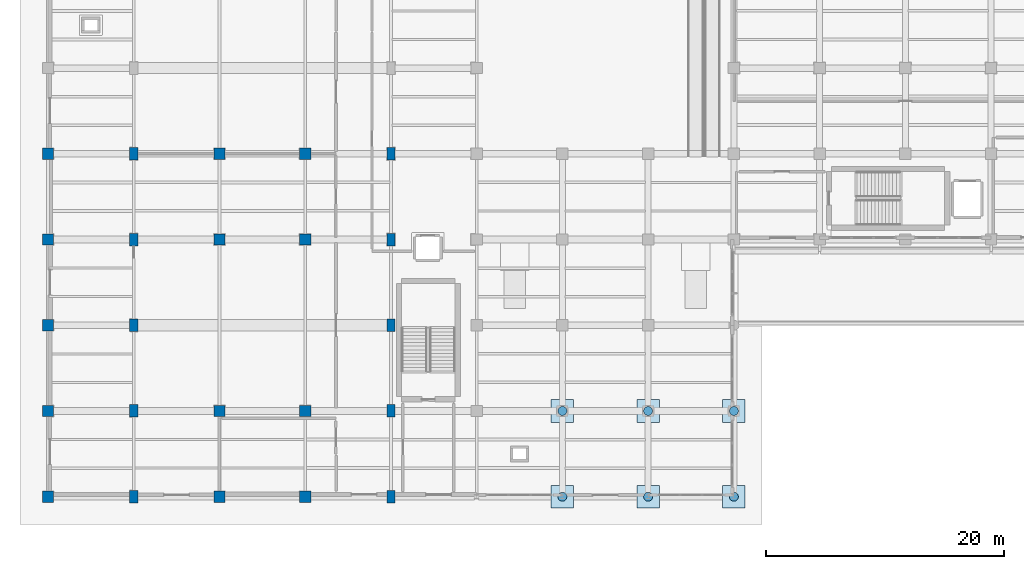
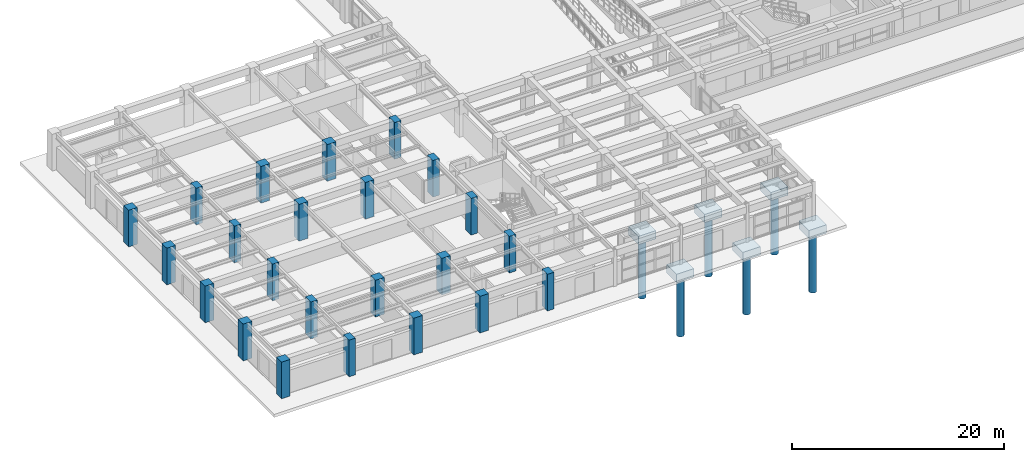
# One storey, part 1 of 64: 23 columns, 6 footings, 6 piles.
"""IFC4 building model written with IfcOpenShell, lengths in metres."""

from ifc_helpers import new_model, si_unit, direction, frame, origin, origin_2d, place, context, subcontext, project, spatial, rectangle, circle, extrude, material, material_profile, profile_set, type_object, element, save


model = new_model("IFC4")

# Units and contexts
model_context = context("Model", 3, precision=1e-05, world=origin(), true_north=direction((0.0, 1.0)))
body_context = subcontext(model_context, "Body", "Model", "MODEL_VIEW")
ifc_project = project(units=[si_unit("LENGTHUNIT", "METRE"), si_unit("AREAUNIT", "SQUARE_METRE"), si_unit("VOLUMEUNIT", "CUBIC_METRE"), si_unit("PLANEANGLEUNIT", "RADIAN"), si_unit("MASSUNIT", "GRAM", prefix="KILO")], contexts=[model_context])

# Site, building, storey
site_placement = place(None, origin())
site = spatial("IfcSite", under=ifc_project, at=site_placement, CompositionType="ELEMENT")
building_placement = place(site_placement, origin())
building = spatial("IfcBuilding", under=site, at=building_placement, Name="Solenvale Faculty of Natural Sciences", CompositionType="ELEMENT")
storey_placement = place(building_placement, origin())
storey = spatial("IfcBuildingStorey", under=building, at=storey_placement, Name="L00", CompositionType="ELEMENT", Elevation=0.0)

# Footings
ifc_material_1 = material(Name="Concrete 40 MPa", Category="concrete")
footing_type = type_object("IfcFootingType", Name="FT-CAP-1900x1900x950", PredefinedType="PILE_CAP", material=ifc_material_1)
for number, where, z_axis, x_axis, name in (
    (1, (43.199951171875, 0.0, -1.2998046875), (0.0, 0.0, 1.0), (1.0, 0.0, 0.0), "L00 Pile Cap 1"),
    (2, (50.39990234375, 0.0, -1.2998046875), (0.0, 0.0, 1.0), (1.0, 0.0, 0.0), "L00 Pile Cap 2"),
    (3, (57.60009765625, 0.0, -1.2998046875), (0.0, 0.0, 1.0), (1.0, 0.0, 0.0), "L00 Pile Cap 3"),
    (4, (43.199951171875, 7.199951171875, -1.2998046875), (0.0, 0.0, 1.0), (1.0, 0.0, 0.0), "L00 Pile Cap 4"),
    (5, (50.39990234375, 7.199951171875, -1.2998046875), (0.0, 0.0, 1.0), (1.0, 0.0, 0.0), "L00 Pile Cap 5"),
    (6, (57.60009765625, 7.199951171875, -1.2998046875), (0.0, 0.0, 1.0), (1.0, 0.0, 0.0), "L00 Pile Cap 6"),
):
    element("IfcFooting", number, at=place(storey_placement, frame(where, z_axis=z_axis, x_axis=x_axis)), inside=storey, type_object=footing_type, Name=name, PredefinedType="PILE_CAP", context=body_context, shape_type="SweptSolid", body=[
        extrude(rectangle(XDim=1.89990234375, YDim=1.89990234375, at=origin_2d()), origin(), (0.0, 0.0, 1.0), 0.949951171875),
    ])

# Piles
ifc_material_profile_1 = material_profile(ifc_material_1, circle(Radius=0.375, at=origin_2d()), Name="PILE-D750")
ifc_profile_set_1 = profile_set([ifc_material_profile_1], Name="Concrete 40 MPa")
pile_type = type_object("IfcPileType", Name="PL-BOR-750", PredefinedType="BORED", material=ifc_profile_set_1)
for number, where, z_axis, x_axis, name in (
    (7, (43.199951171875, 0.0, -1.199951171875), (0.0, 0.0, -1.0), (1.0, 0.0, 0.0), "L00 Bored Pile 327"),
    (8, (50.39990234375, 0.0, -1.199951171875), (0.0, 0.0, -1.0), (1.0, 0.0, 0.0), "L00 Bored Pile 328"),
    (9, (57.60009765625, 0.0, -1.199951171875), (0.0, 0.0, -1.0), (1.0, 0.0, 0.0), "L00 Bored Pile 329"),
    (10, (43.199951171875, 7.199951171875, -1.199951171875), (0.0, 0.0, -1.0), (1.0, 0.0, 0.0), "L00 Bored Pile 330"),
    (11, (50.39990234375, 7.199951171875, -1.199951171875), (0.0, 0.0, -1.0), (1.0, 0.0, 0.0), "L00 Bored Pile 331"),
    (12, (57.60009765625, 7.199951171875, -1.199951171875), (0.0, 0.0, -1.0), (1.0, 0.0, 0.0), "L00 Bored Pile 332"),
):
    element("IfcPile", number, at=place(storey_placement, frame(where, z_axis=z_axis, x_axis=x_axis)), inside=storey, type_object=pile_type, Name=name, PredefinedType="BORED", context=body_context, shape_type="SweptSolid", body=[
        extrude(circle(Radius=0.375, at=origin_2d()), origin(), (0.0, 0.0, 1.0), 7.0),
    ])

# Columns
ifc_material_2 = material(Name="Concrete 50 MPa", Category="concrete")
ifc_material_profile_2 = material_profile(ifc_material_2, rectangle(XDim=0.699951171875, YDim=1.050048828125, at=origin_2d()), Name="RC-COL-700x1050")
ifc_profile_set_2 = profile_set([ifc_material_profile_2], Name="Concrete 50 MPa")
column_type_1 = type_object("IfcColumnType", Name="COL-RC-700x1050", PredefinedType="COLUMN", material=ifc_profile_set_2)
for number, where, z_axis, x_axis, name in (
    (13, (7.199951171875, 0.0, 0.0), (0.0, 0.0, 1.0), (1.0, 0.0, 0.0), "L00 Column (7.2, 0.0)"),
    (14, (7.199951171875, 7.199951171875, 0.0), (0.0, 0.0, 1.0), (1.0, 0.0, 0.0), "L00 Column (7.2, 7.2)"),
    (15, (7.199951171875, 14.39990234375, 0.0), (0.0, 0.0, 1.0), (1.0, 0.0, 0.0), "L00 Column (7.2, 14.4)"),
    (16, (7.199951171875, 21.60009765625, 0.0), (0.0, 0.0, 1.0), (1.0, 0.0, 0.0), "L00 Column (7.2, 21.6)"),
    (17, (7.199951171875, 28.800048828125, 0.0), (0.0, 0.0, 1.0), (1.0, 0.0, 0.0), "L00 Column (7.2, 28.8)"),
    (18, (28.800048828125, 0.0, 0.0), (0.0, 0.0, 1.0), (1.0, 0.0, 0.0), "L00 Column (28.8, 0.0)"),
    (19, (28.800048828125, 7.199951171875, 0.0), (0.0, 0.0, 1.0), (1.0, 0.0, 0.0), "L00 Column (28.8, 7.2)"),
    (20, (28.800048828125, 14.39990234375, 0.0), (0.0, 0.0, 1.0), (1.0, 0.0, 0.0), "L00 Column (28.8, 14.4)"),
    (21, (28.800048828125, 21.60009765625, 0.0), (0.0, 0.0, 1.0), (1.0, 0.0, 0.0), "L00 Column (28.8, 21.6)"),
    (22, (28.800048828125, 28.800048828125, 0.0), (0.0, 0.0, 1.0), (1.0, 0.0, 0.0), "L00 Column (28.8, 28.8)"),
):
    element("IfcColumn", number, at=place(storey_placement, frame(where, z_axis=z_axis, x_axis=x_axis)), inside=storey, type_object=column_type_1, Name=name, PredefinedType="COLUMN", context=body_context, shape_type="SweptSolid", body=[
        extrude(rectangle(XDim=0.699951171875, YDim=1.050048828125, at=origin_2d()), origin(), (0.0, 0.0, 1.0), 4.219970703125),
    ])
ifc_material_profile_3 = material_profile(ifc_material_2, rectangle(XDim=0.949951171875, YDim=0.949951171875, at=origin_2d()), Name="RC-COL-950x950")
ifc_profile_set_3 = profile_set([ifc_material_profile_3], Name="Concrete 50 MPa")
column_type_2 = type_object("IfcColumnType", Name="COL-RC-950", PredefinedType="COLUMN", material=ifc_profile_set_3)
for number, where, z_axis, x_axis, name in (
    (23, (0.0, 0.0, 0.0), (0.0, 0.0, 1.0), (1.0, 0.0, 0.0), "L00 Column (0.0, 0.0)"),
    (24, (0.0, 7.199951171875, 0.0), (0.0, 0.0, 1.0), (1.0, 0.0, 0.0), "L00 Column (0.0, 7.2)"),
    (25, (0.0, 14.39990234375, 0.0), (0.0, 0.0, 1.0), (1.0, 0.0, 0.0), "L00 Column (0.0, 14.4)"),
    (26, (0.0, 21.60009765625, 0.0), (0.0, 0.0, 1.0), (1.0, 0.0, 0.0), "L00 Column (0.0, 21.6)"),
    (27, (0.0, 28.800048828125, 0.0), (0.0, 0.0, 1.0), (1.0, 0.0, 0.0), "L00 Column (0.0, 28.8)"),
    (28, (14.39990234375, 0.0, 0.0), (0.0, 0.0, 1.0), (1.0, 0.0, 0.0), "L00 Column (14.4, 0.0)"),
    (29, (14.39990234375, 7.199951171875, 0.0), (0.0, 0.0, 1.0), (1.0, 0.0, 0.0), "L00 Column (14.4, 7.2)"),
    (30, (14.39990234375, 21.60009765625, 0.0), (0.0, 0.0, 1.0), (1.0, 0.0, 0.0), "L00 Column (14.4, 21.6)"),
    (31, (14.39990234375, 28.800048828125, 0.0), (0.0, 0.0, 1.0), (1.0, 0.0, 0.0), "L00 Column (14.4, 28.8)"),
    (32, (21.60009765625, 0.0, 0.0), (0.0, 0.0, 1.0), (1.0, 0.0, 0.0), "L00 Column (21.6, 0.0)"),
    (33, (21.60009765625, 7.199951171875, 0.0), (0.0, 0.0, 1.0), (1.0, 0.0, 0.0), "L00 Column (21.6, 7.2)"),
    (34, (21.60009765625, 21.60009765625, 0.0), (0.0, 0.0, 1.0), (1.0, 0.0, 0.0), "L00 Column (21.6, 21.6)"),
    (35, (21.60009765625, 28.800048828125, 0.0), (0.0, 0.0, 1.0), (1.0, 0.0, 0.0), "L00 Column (21.6, 28.8)"),
):
    element("IfcColumn", number, at=place(storey_placement, frame(where, z_axis=z_axis, x_axis=x_axis)), inside=storey, type_object=column_type_2, Name=name, PredefinedType="COLUMN", context=body_context, shape_type="SweptSolid", body=[
        extrude(rectangle(XDim=0.949951171875, YDim=0.949951171875, at=origin_2d()), origin(), (0.0, 0.0, 1.0), 4.219970703125),
    ])

save(model, "model.ifc")
